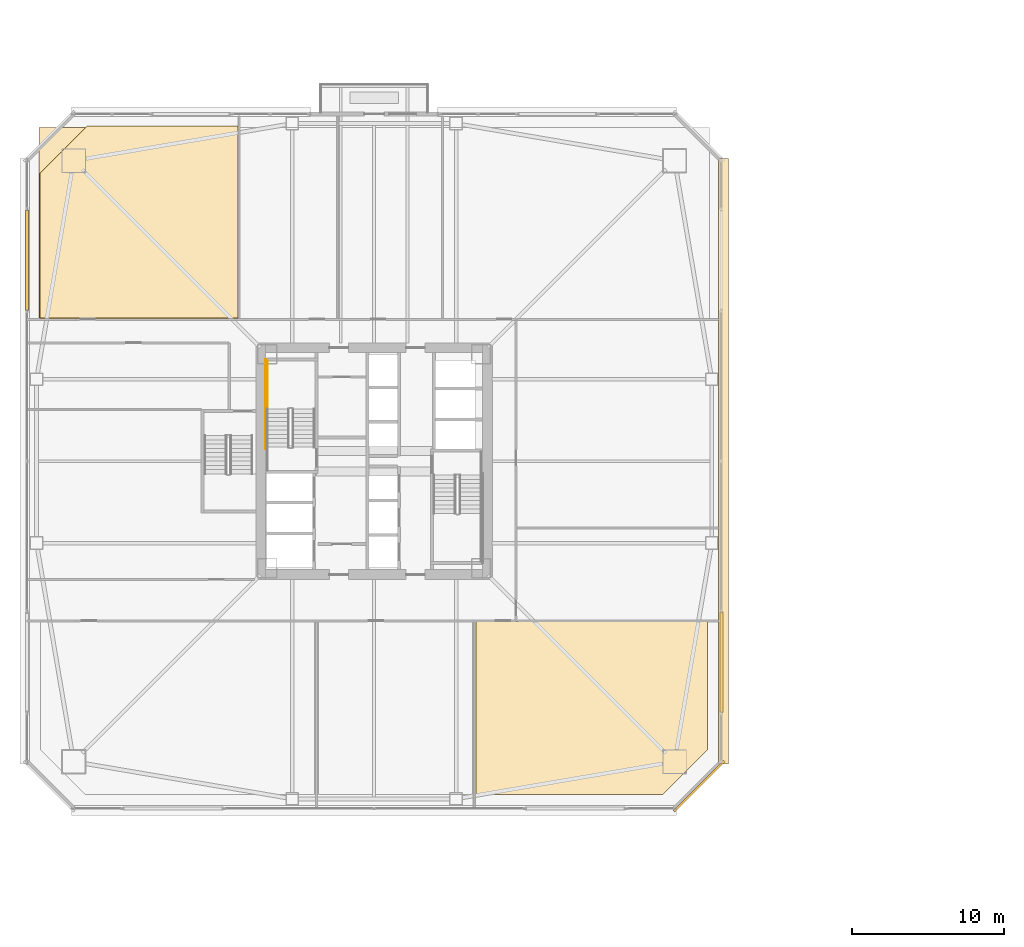
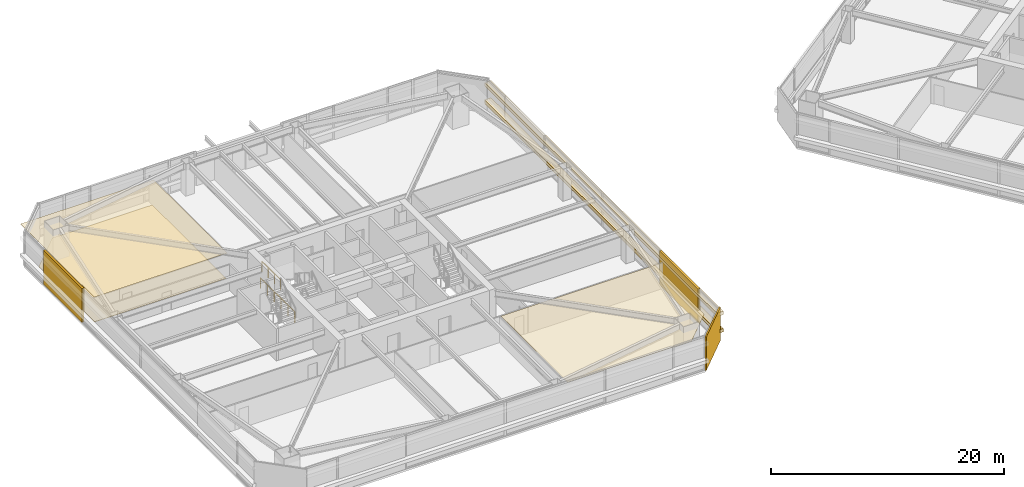
# One storey, part 46 of 51: 8 coverings, 2 railings.
"""IFC4 building model written with IfcOpenShell, lengths in metres."""

from ifc_helpers import new_model, si_unit, direction, frame, origin, origin_2d, place, context, subcontext, project, spatial, polyline, rectangle, outline, extrude, material, layer, layer_set, type_object, element, save


model = new_model("IFC4")

# Units and contexts
model_context = context("Model", 3, precision=1e-05, world=origin(), true_north=direction((0.0, 1.0)))
body_context = subcontext(model_context, "Body", "Model", "MODEL_VIEW")
ifc_project = project(units=[si_unit("LENGTHUNIT", "METRE"), si_unit("AREAUNIT", "SQUARE_METRE"), si_unit("VOLUMEUNIT", "CUBIC_METRE"), si_unit("PLANEANGLEUNIT", "RADIAN"), si_unit("MASSUNIT", "GRAM", prefix="KILO")], contexts=[model_context])

# Site, building, storey
site_placement = place(None, origin())
site = spatial("IfcSite", under=ifc_project, at=site_placement, CompositionType="ELEMENT")
building_placement = place(site_placement, origin())
building = spatial("IfcBuilding", under=site, at=building_placement, Name="Tashvorn Skyway Center", CompositionType="ELEMENT")
storey_placement = place(building_placement, frame((0.0, 0.0, 49.449951171875)))
storey = spatial("IfcBuildingStorey", under=building, at=storey_placement, Name="L12", CompositionType="ELEMENT", Elevation=49.449951171875)

# Coverings
ifc_material_1 = material(Name="Precast concrete C40/50", Category="concrete")
ifc_layer_1 = layer(ifc_material_1, 0.199951171875)
ifc_layer_set_1 = layer_set([ifc_layer_1], Name="Precast concrete C40/50")
covering_type_1 = type_object("IfcCoveringType", Name="COV-BRACE-CLAD", PredefinedType="CLADDING", material=ifc_layer_set_1)
for number, where, z_axis, x_axis, name in (
    (1, (19.1201171875, 45.25341796875, 0.0), (0.0, 0.0, 1.0), (0.0, 1.0, 0.0), "Tower 1 L12 West Unitised Curtain Wall Mega-Brace Cladding Band 2"),
    (2, (64.8798828125, 18.74658203125, 0.0), (0.0, 0.0, 1.0), (0.0, -1.0, 0.0), "Tower 1 L12 East Unitised Curtain Wall Mega-Brace Cladding Band 2"),
):
    element("IfcCovering", number, at=place(storey_placement, frame(where, z_axis=z_axis, x_axis=x_axis)), inside=storey, type_object=covering_type_1, Name=name, PredefinedType="CLADDING", context=body_context, shape_type="SweptSolid", body=[
        extrude(rectangle(XDim=6.626708984375, YDim=0.199951171875, at=origin_2d()), origin(), (0.0, 0.0, 1.0), 3.550048828125),
    ])
ifc_material_2 = material(Name="Mineral-fibre acoustic ceiling tile on suspended grid")
ifc_layer_2 = layer(ifc_material_2, 0.02001953125)
ifc_layer_set_2 = layer_set([ifc_layer_2], Name="Mineral-fibre acoustic ceiling tile on suspended grid")
covering_type_2 = type_object("IfcCoveringType", Name="COV-CEIL-20", PredefinedType="CEILING", material=ifc_layer_set_2)
covering_1_placement = place(storey_placement, frame((0.0, 0.0, 2.68310546875)))
element("IfcCovering", 3, at=covering_1_placement, inside=storey, type_object=covering_type_2, Name="Tower 1 L12 Conference Room Acoustic Ceiling", PredefinedType="CEILING", context=body_context, shape_type="SweptSolid", body=[
    extrude(outline(polyline([(19.89990234375, 41.35009765625), (33.10009765625, 41.35009765625), (33.10009765625, 54.0), (19.89990234375, 54.0), (19.89990234375, 41.35009765625)])), origin(), (0.0, 0.0, 1.0), 0.02001953125),
])
covering_2_placement = place(storey_placement, frame((0.0, 0.0, 2.68310546875)))
element("IfcCovering", 4, at=covering_2_placement, inside=storey, type_object=covering_type_2, Name="Tower 1 L12 Design Studio Acoustic Ceiling", PredefinedType="CEILING", context=body_context, shape_type="SweptSolid", body=[
    extrude(outline(polyline([(48.719970703125, 10.02001953125), (48.719970703125, 21.43994140625), (63.97998046875, 21.43994140625), (63.97998046875, 12.97998046875), (61.02001953125, 10.02001953125), (48.719970703125, 10.02001953125)])), origin(), (0.0, 0.0, 1.0), 0.02001953125),
])
ifc_material_3 = material(Name="Polished Mojave desert-aggregate terrazzo and cover plate")
ifc_layer_3 = layer(ifc_material_3, 0.0400390625)
ifc_layer_set_3 = layer_set([ifc_layer_3], Name="Polished Mojave desert-aggregate terrazzo and cover plate")
covering_type_3 = type_object("IfcCoveringType", Name="COV-FLR-40", PredefinedType="FLOORING", material=ifc_layer_set_3)
covering_3_placement = place(storey_placement, origin())
element("IfcCovering", 5, at=covering_3_placement, inside=storey, type_object=covering_type_3, Name="Tower 1 L12 Conference Room Finish Flooring", PredefinedType="FLOORING", context=body_context, shape_type="SweptSolid", body=[
    extrude(outline(polyline([(33.02001953125, 41.429931640625), (19.97998046875, 41.429931640625), (19.97998046875, 50.97998046875), (23.10009765625, 54.10009765625), (33.02001953125, 54.10009765625), (33.02001953125, 41.429931640625)])), origin(), (0.0, 0.0, 1.0), 0.0400390625),
])
ifc_material_4 = material(Name="Perforated ceramic-coated bronze aluminium solar screen", Category="aluminium")
ifc_layer_4 = layer(ifc_material_4, 0.85009765625)
ifc_layer_set_4 = layer_set([ifc_layer_4], Name="Perforated ceramic-coated bronze aluminium solar screen")
covering_type_4 = type_object("IfcCoveringType", Name="COV-SOLAR-BAND", PredefinedType="CLADDING", material=ifc_layer_set_4)
for number, where, z_axis, x_axis, name in (
    (6, (65.02001953125, 32.0, 0.919921875), (0.0, 0.0, 1.0), (0.0, -1.0, 0.0), "L12 Perforated Ceramic-Metal Solar Screen Louvre Band East 1"),
    (7, (65.02001953125, 32.0, 2.72021484375), (0.0, 0.0, 1.0), (0.0, -1.0, 0.0), "L12 Perforated Ceramic-Metal Solar Screen Louvre Band East 2"),
):
    element("IfcCovering", number, at=place(storey_placement, frame(where, z_axis=z_axis, x_axis=x_axis)), inside=storey, type_object=covering_type_4, Name=name, PredefinedType="CLADDING", context=body_context, shape_type="SweptSolid", body=[
        extrude(rectangle(XDim=39.8798828125, YDim=0.639892578125, at=origin_2d()), origin(), (0.0, 0.0, 1.0), 0.360107421875),
    ])
ifc_layer_5 = layer(ifc_material_1, 0.35009765625)
ifc_layer_set_5 = layer_set([ifc_layer_5], Name="Precast concrete C40/50")
covering_type_5 = type_object("IfcCoveringType", Name="COV-STONE-TRIM", PredefinedType="CLADDING", material=ifc_layer_set_5)
covering_4_placement = place(storey_placement, frame((63.419921875, 10.580078125, 0.02001953125), z_axis=(0.0, 0.0, 1.0), x_axis=(0.707106781187, 0.707106781187, 0.0)))
element("IfcCovering", 8, at=covering_4_placement, inside=storey, type_object=covering_type_5, Name="Tower 1 L12 SE Mojave Limestone Corner Quoin", PredefinedType="CLADDING", context=body_context, shape_type="SweptSolid", body=[
    extrude(rectangle(XDim=4.685546875, YDim=0.139892578125, at=origin_2d()), origin(), (0.0, 0.0, 1.0), 3.510009765625),
])

# Railings
ifc_material_5 = material(Name="Painted galvanized steel S355", Category="steel")
railing_type = type_object("IfcRailingType", Name="RAIL-STGUARD-1100", PredefinedType="GUARDRAIL", material=ifc_material_5)
railing_1_placement = place(storey_placement, frame((34.949951171875, 35.43994140625, 1.775146484375)))
element("IfcRailing", 9, at=railing_1_placement, inside=storey, type_object=railing_type, Name="L12 ST-T1-1 stair guard 3", PredefinedType="GUARDRAIL", context=body_context, shape_type="SweptSolid", body=[
    extrude(rectangle(XDim=0.048095703125, YDim=0.048095703125, at=origin_2d()), frame((0.0, 0.0, 1.076171875), z_axis=(0.0, 1.0, 0.0), x_axis=(-1.0, 0.0, 0.0)), (0.0, 0.0, 1.0), 3.16015625),
    extrude(rectangle(XDim=0.0419921875, YDim=0.0419921875, at=origin_2d()), origin(), (0.0, 0.0, 1.0), 1.052001953125),
    extrude(rectangle(XDim=0.0419921875, YDim=0.0419921875, at=origin_2d()), frame((0.0, 1.053466796875, 0.0)), (0.0, 0.0, 1.0), 1.052001953125),
    extrude(rectangle(XDim=0.0419921875, YDim=0.0419921875, at=origin_2d()), frame((0.0, 2.106689453125, 0.0)), (0.0, 0.0, 1.0), 1.052001953125),
    extrude(rectangle(XDim=0.0419921875, YDim=0.0419921875, at=origin_2d()), frame((0.0, 3.16015625, 0.0)), (0.0, 0.0, 1.0), 1.052001953125),
])
railing_2_placement = place(storey_placement, frame((34.85009765625, 32.820068359375, 0.0)))
element("IfcRailing", 10, at=railing_2_placement, inside=storey, type_object=railing_type, Name="L12 ST-T1-1 stair guard 7", PredefinedType="GUARDRAIL", context=body_context, shape_type="SweptSolid", body=[
    extrude(rectangle(XDim=0.048095703125, YDim=0.048095703125, at=origin_2d()), frame((0.0, 0.0, 1.076171875), z_axis=(0.0, 1.0, 0.0), x_axis=(-1.0, 0.0, 0.0)), (0.0, 0.0, 1.0), 5.8798828125),
    extrude(rectangle(XDim=0.0419921875, YDim=0.0419921875, at=origin_2d()), origin(), (0.0, 0.0, 1.0), 1.052001953125),
    extrude(rectangle(XDim=0.0419921875, YDim=0.0419921875, at=origin_2d()), frame((0.0, 1.176025390625, 0.0)), (0.0, 0.0, 1.0), 1.052001953125),
    extrude(rectangle(XDim=0.0419921875, YDim=0.0419921875, at=origin_2d()), frame((0.0, 2.35205078125, 0.0)), (0.0, 0.0, 1.0), 1.052001953125),
    extrude(rectangle(XDim=0.0419921875, YDim=0.0419921875, at=origin_2d()), frame((0.0, 3.52783203125, 0.0)), (0.0, 0.0, 1.0), 1.052001953125),
    extrude(rectangle(XDim=0.0419921875, YDim=0.0419921875, at=origin_2d()), frame((0.0, 4.703857421875, 0.0)), (0.0, 0.0, 1.0), 1.052001953125),
    extrude(rectangle(XDim=0.0419921875, YDim=0.0419921875, at=origin_2d()), frame((0.0, 5.8798828125, 0.0)), (0.0, 0.0, 1.0), 1.052001953125),
])

save(model, "model.ifc")
